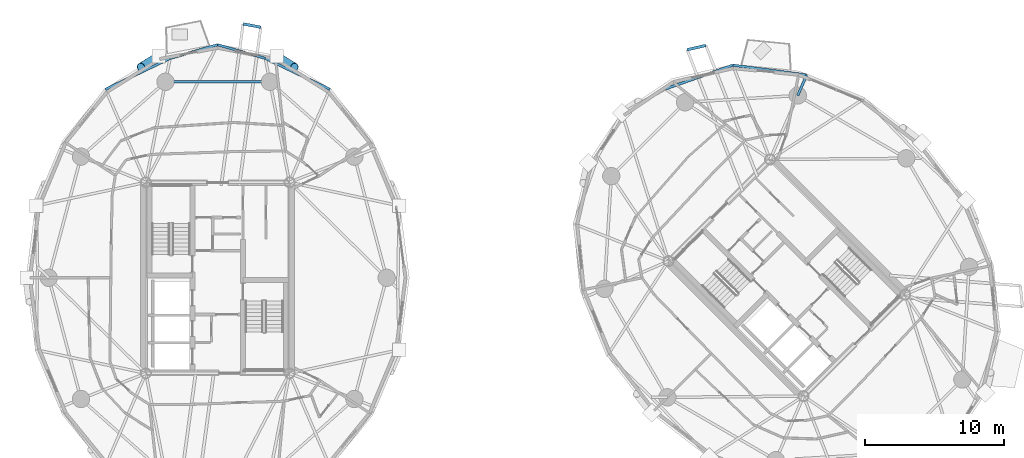
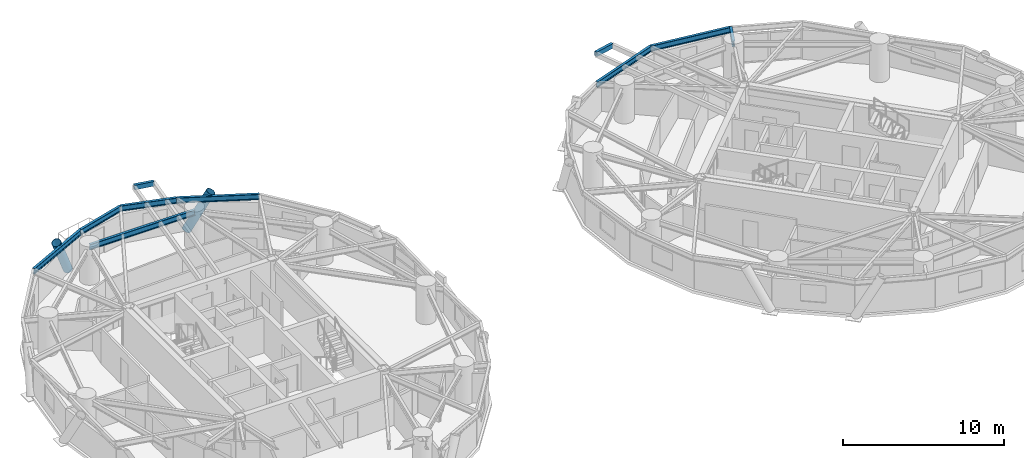
# One storey, part 6 of 18: 10 beams, 2 members.
"""IFC4 building model written with IfcOpenShell, lengths in metres."""

from ifc_helpers import new_model, si_unit, direction, frame, origin, origin_2d, place, context, subcontext, project, spatial, hollow_rectangle, hollow_circle, i_section, extrude, material, material_profile, profile_set, type_object, element, save


model = new_model("IFC4")

# Units and contexts
model_context = context("Model", 3, precision=1e-05, world=origin(), true_north=direction((0.0, 1.0)))
body_context = subcontext(model_context, "Body", "Model", "MODEL_VIEW")
ifc_project = project(units=[si_unit("LENGTHUNIT", "METRE"), si_unit("AREAUNIT", "SQUARE_METRE"), si_unit("VOLUMEUNIT", "CUBIC_METRE"), si_unit("PLANEANGLEUNIT", "RADIAN"), si_unit("MASSUNIT", "GRAM", prefix="KILO")], contexts=[model_context])

# Site, building, storey
site_placement = place(None, origin())
site = spatial("IfcSite", under=ifc_project, at=site_placement, CompositionType="ELEMENT")
building_placement = place(site_placement, origin())
building = spatial("IfcBuilding", under=site, at=building_placement, Name="Cununo Teusaquillo Station Towers", CompositionType="ELEMENT")
storey_placement = place(building_placement, frame((0.0, 0.0, 169.06005859375)))
storey = spatial("IfcBuildingStorey", under=building, at=storey_placement, Name="L53", CompositionType="ELEMENT", Elevation=169.06005859375)

# Beams
ifc_material_1 = material(Name="Steel ASTM A572 Grade 50", Category="steel")
ifc_material_profile_1 = material_profile(ifc_material_1, i_section(OverallWidth=0.180908203125, OverallDepth=0.4169921875, WebThickness=0.010986328125, FlangeThickness=0.018310546875, FilletRadius=0.012939453125, at=origin_2d()), Name="W16X57")
ifc_profile_set_1 = profile_set([ifc_material_profile_1], Name="Steel ASTM A572 Grade 50")
beam_type_1 = type_object("IfcBeamType", Name="BM-RAD-G2", PredefinedType="BEAM", material=ifc_profile_set_1)
beam_1_placement = place(storey_placement, frame((58.291015625, 37.63525390625, 2.4814453125), z_axis=(0.397381487564, 0.917653503966, 0.0), x_axis=(-0.917653503966, 0.397381487564, 0.0)))
element("IfcBeam", 1, at=beam_1_placement, inside=storey, type_object=beam_type_1, Name="L53 Tower B Perimeter Overhang Girder 02B", PredefinedType="BEAM", context=body_context, shape_type="SweptSolid", body=[
    extrude(i_section(OverallWidth=0.180908203125, OverallDepth=0.4169921875, WebThickness=0.010986328125, FlangeThickness=0.018310546875, FilletRadius=0.012939453125, at=origin_2d()), origin(), (0.0, 0.0, 1.0), 1.607177734375),
])
ifc_material_2 = material(Name="Steel ASTM A572 Grade 50", Category="steel")
ifc_material_profile_2 = material_profile(ifc_material_2, i_section(OverallWidth=0.180908203125, OverallDepth=0.4169921875, WebThickness=0.010986328125, FlangeThickness=0.018310546875, FilletRadius=0.012939453125, at=origin_2d()), Name="W16X57")
ifc_profile_set_2 = profile_set([ifc_material_profile_2], Name="Steel ASTM A572 Grade 50")
beam_type_2 = type_object("IfcBeamType", Name="BM-RING-Z3", PredefinedType="SPANDREL", material=ifc_profile_set_2)
beam_2_placement = place(storey_placement, frame((20.261474609375, 38.623291015625, 2.4814453125), z_axis=(-1.0, 0.0, 0.0), x_axis=(0.0, -1.0, 0.0)))
element("IfcBeam", 2, at=beam_2_placement, inside=storey, type_object=beam_type_2, Name="L53 Tower A Structural Column Ring Girder 03", PredefinedType="SPANDREL", context=body_context, shape_type="SweptSolid", body=[
    extrude(i_section(OverallWidth=0.180908203125, OverallDepth=0.4169921875, WebThickness=0.010986328125, FlangeThickness=0.018310546875, FilletRadius=0.012939453125, at=origin_2d()), origin(), (0.0, 0.0, 1.0), 7.52294921875),
])
beam_3_placement = place(storey_placement, frame((24.58251953125, 38.08349609375, 2.4814453125), z_axis=(-0.902031610991, 0.431669981319, 0.0), x_axis=(-0.431669981319, -0.902031610991, 0.0)))
element("IfcBeam", 3, at=beam_3_placement, inside=storey, type_object=beam_type_2, Name="L53 Tower A Spandrel Ring Beam 04", PredefinedType="SPANDREL", context=body_context, shape_type="SweptSolid", body=[
    extrude(i_section(OverallWidth=0.180908203125, OverallDepth=0.4169921875, WebThickness=0.010986328125, FlangeThickness=0.018310546875, FilletRadius=0.012939453125, at=origin_2d()), origin(), (0.0, 0.0, 1.0), 5.1552734375),
])
for number, where, z_axis, x_axis, name in (
    (4, (19.932373046875, 40.308837890625, 2.4814453125), (-0.961485227168, 0.274856613414, 0.0), (-0.274856613414, -0.961485227168, 0.0), "L53 Tower A Spandrel Ring Beam 05"),
    (5, (16.5, 41.2900390625, 2.4814453125), (-0.961485227168, -0.274856613414, 0.0), (0.274856613414, -0.961485227168, 0.0), "L53 Tower A Spandrel Ring Beam 06"),
):
    element("IfcBeam", number, at=place(storey_placement, frame(where, z_axis=z_axis, x_axis=x_axis)), inside=storey, type_object=beam_type_2, Name=name, PredefinedType="SPANDREL", context=body_context, shape_type="SweptSolid", body=[
        extrude(i_section(OverallWidth=0.180908203125, OverallDepth=0.4169921875, WebThickness=0.010986328125, FlangeThickness=0.018310546875, FilletRadius=0.012939453125, at=origin_2d()), origin(), (0.0, 0.0, 1.0), 3.56982421875),
    ])
beam_4_placement = place(storey_placement, frame((13.067626953125, 40.308837890625, 2.4814453125), z_axis=(-0.902031610991, -0.431669981319, 0.0), x_axis=(0.431669981319, -0.902031610991, 0.0)))
element("IfcBeam", 6, at=beam_4_placement, inside=storey, type_object=beam_type_2, Name="L53 Tower A Spandrel Ring Beam 07", PredefinedType="SPANDREL", context=body_context, shape_type="SweptSolid", body=[
    extrude(i_section(OverallWidth=0.180908203125, OverallDepth=0.4169921875, WebThickness=0.010986328125, FlangeThickness=0.018310546875, FilletRadius=0.012939453125, at=origin_2d()), origin(), (0.0, 0.0, 1.0), 5.1552734375),
])
beam_5_placement = place(storey_placement, frame((58.9296875, 39.110107421875, 2.4814453125), z_axis=(-0.991204443213, 0.132339532096, 0.0), x_axis=(-0.132339532096, -0.991204443213, 0.0)))
element("IfcBeam", 7, at=beam_5_placement, inside=storey, type_object=beam_type_2, Name="L53 Tower B Spandrel Ring Beam 03", PredefinedType="SPANDREL", context=body_context, shape_type="SweptSolid", body=[
    extrude(i_section(OverallWidth=0.180908203125, OverallDepth=0.4169921875, WebThickness=0.010986328125, FlangeThickness=0.018310546875, FilletRadius=0.012939453125, at=origin_2d()), origin(), (0.0, 0.0, 1.0), 5.366455078125),
])
beam_6_placement = place(storey_placement, frame((53.6103515625, 39.8203125, 2.4814453125), z_axis=(-0.943071614141, -0.332589733158, 0.0), x_axis=(0.332589733158, -0.943071614141, 0.0)))
element("IfcBeam", 8, at=beam_6_placement, inside=storey, type_object=beam_type_2, Name="L53 Tower B Spandrel Ring Beam 04", PredefinedType="SPANDREL", context=body_context, shape_type="SweptSolid", body=[
    extrude(i_section(OverallWidth=0.180908203125, OverallDepth=0.4169921875, WebThickness=0.010986328125, FlangeThickness=0.018310546875, FilletRadius=0.012939453125, at=origin_2d()), origin(), (0.0, 0.0, 1.0), 5.1552734375),
])
ifc_material_3 = material(Name="Steel EN 10025-2 S355J2", Category="steel")
ifc_material_profile_3 = material_profile(ifc_material_3, hollow_rectangle(XDim=0.199951171875, YDim=0.35009765625, WallThickness=0.013916015625, at=origin_2d()), Name="RHS 350x200x14")
ifc_profile_set_3 = profile_set([ifc_material_profile_3], Name="Steel EN 10025-2 S355J2")
beam_type_3 = type_object("IfcBeamType", Name="BM-STAIR-TRIM", PredefinedType="BEAM", material=ifc_profile_set_3)
beam_7_placement = place(storey_placement, frame((19.60400390625, 42.5498046875, 2.52490234375), z_axis=(-0.981844538169, 0.189687381942, 0.0), x_axis=(-0.189687381942, -0.981844538169, 0.0)))
element("IfcBeam", 9, at=beam_7_placement, inside=storey, type_object=beam_type_3, Name="L53 Tower A Balcony Edge Trimmer Beam 1", PredefinedType="BEAM", context=body_context, shape_type="SweptSolid", body=[
    extrude(hollow_rectangle(XDim=0.199951171875, YDim=0.35009765625, WallThickness=0.013916015625, at=origin_2d()), origin(), (0.0, 0.0, 1.0), 1.29345703125),
])
beam_8_placement = place(storey_placement, frame((51.66552734375, 41.2421875, 2.52490234375), z_axis=(-0.97385292675, -0.227179394005, 0.0), x_axis=(0.227179394005, -0.97385292675, 0.0)))
element("IfcBeam", 10, at=beam_8_placement, inside=storey, type_object=beam_type_3, Name="L53 Tower B Balcony Edge Trimmer Beam 1", PredefinedType="BEAM", context=body_context, shape_type="SweptSolid", body=[
    extrude(hollow_rectangle(XDim=0.199951171875, YDim=0.35009765625, WallThickness=0.013916015625, at=origin_2d()), origin(), (0.0, 0.0, 1.0), 1.383056640625),
])

# Members
ifc_material_4 = material(Name="Steel EN 10025-2 S355J2", Category="steel")
ifc_material_profile_4 = material_profile(ifc_material_4, hollow_circle(Radius=0.304931640625, WallThickness=0.02001953125, at=origin_2d()), Name="CHS 610x20")
ifc_profile_set_4 = profile_set([ifc_material_profile_4], Name="Steel EN 10025-2 S355J2")
member_type = type_object("IfcMemberType", Name="MBR-DIAG-Z3", PredefinedType="BRACE", material=ifc_profile_set_4)
for number, where, z_axis, x_axis, name in (
    (11, (20.749267578125, 40.46826171875, -0.14013671875), (0.390029746929, -0.242632184945, 0.888260333089), (0.528218719344, 0.849108346758, 0.0), "L53 Tower A Folded-Zigzag Diagrid Tube C03"),
    (12, (12.250732421875, 40.46826171875, -0.14013671875), (-0.390029746929, -0.242632184945, 0.888260333089), (0.528218719344, -0.849108346758, 0.0), "L53 Tower A Folded-Zigzag Diagrid Tube C06"),
):
    element("IfcMember", number, at=place(storey_placement, frame(where, z_axis=z_axis, x_axis=x_axis)), inside=storey, type_object=member_type, Name=name, PredefinedType="BRACE", context=body_context, shape_type="SweptSolid", body=[
        extrude(hollow_circle(Radius=0.304931640625, WallThickness=0.02001953125, at=origin_2d()), origin(), (0.0, 0.0, 1.0), 3.276123046875),
    ])

save(model, "model.ifc")
